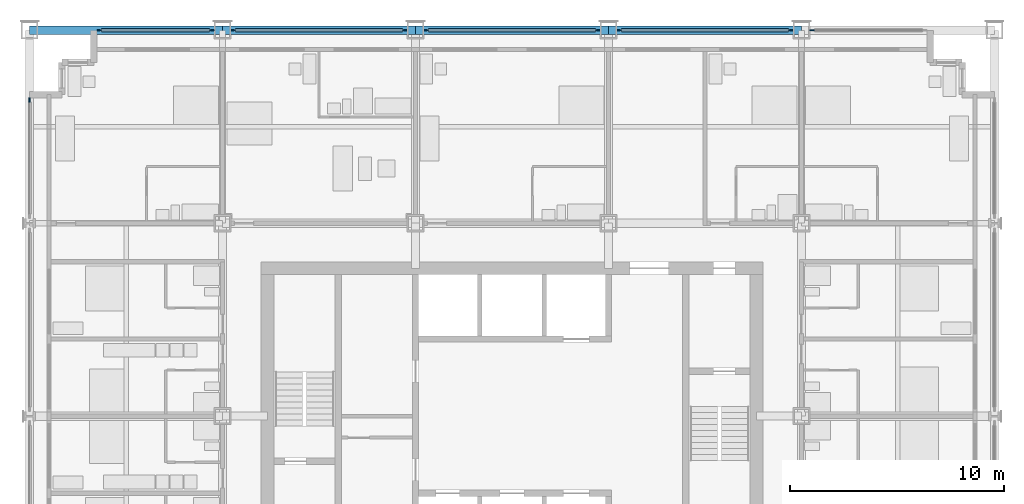
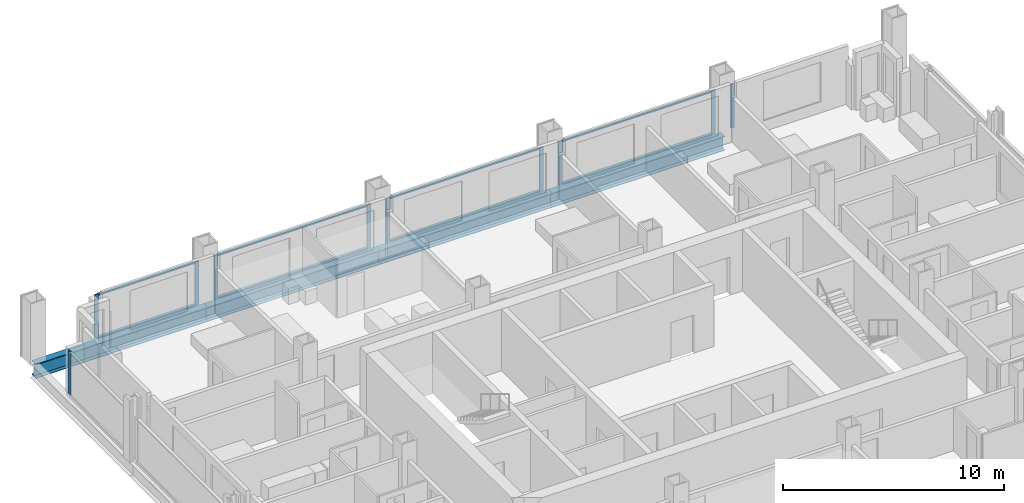
# One storey, part 6 of 16: 18 members, 4 beams, 6 elements without a shape of their own.
"""IFC4 building model written with IfcOpenShell, lengths in metres."""

from ifc_helpers import new_model, si_unit, direction, frame, origin, origin_2d, place, context, subcontext, project, spatial, rectangle, i_section, extrude, material, material_profile, profile_set, type_object, element, aggregate, save


model = new_model("IFC4")

# Units and contexts
model_context = context("Model", 3, precision=1e-05, world=origin(), true_north=direction((0.0, 1.0)))
body_context = subcontext(model_context, "Body", "Model", "MODEL_VIEW")
ifc_project = project(units=[si_unit("LENGTHUNIT", "METRE"), si_unit("AREAUNIT", "SQUARE_METRE"), si_unit("VOLUMEUNIT", "CUBIC_METRE"), si_unit("PLANEANGLEUNIT", "RADIAN"), si_unit("MASSUNIT", "GRAM", prefix="KILO")], contexts=[model_context])

# Site, building, storey
site_placement = place(None, origin())
site = spatial("IfcSite", under=ifc_project, at=site_placement, CompositionType="ELEMENT")
building_placement = place(site_placement, origin())
building = spatial("IfcBuilding", under=site, at=building_placement, Name="Loomwork Tower", CompositionType="ELEMENT")
storey_placement = place(building_placement, frame((0.0, 0.0, 107.800048828125)))
storey = spatial("IfcBuildingStorey", under=building, at=storey_placement, Name="L28", CompositionType="ELEMENT", Elevation=107.800048828125)

# Curtain wall, members
ifc_material_1 = material(Name="Aluminium curtain wall frame", Category="aluminium")
curtain_wall_type = type_object("IfcCurtainWallType", Name="Outer skin glazing hotel", PredefinedType="NOTDEFINED", material=ifc_material_1)
curtain_wall_1_placement = place(storey_placement, origin())
curtain_wall_1 = element("IfcCurtainWall", 1, at=curtain_wall_1_placement, inside=storey, type_object=curtain_wall_type, Name="Outer skin glazing hotel cw/N-0", PredefinedType="NOTDEFINED")
ifc_material_2 = material(Name="Aluminium curtain wall frame", Category="aluminium")
ifc_material_profile_1 = material_profile(ifc_material_2, rectangle(XDim=0.06494140625, YDim=0.199951171875, at=origin_2d()), Name="AL 65x200")
ifc_profile_set_1 = profile_set([ifc_material_profile_1], Name="Aluminium curtain wall frame")
member_type_1 = type_object("IfcMemberType", Name="Outer skin glazing hotel mullion", PredefinedType="MULLION", material=ifc_profile_set_1)
member_1_placement = place(storey_placement, frame((8.5, 36.0, 0.0), z_axis=(0.0, 0.0, 1.0), x_axis=(0.0, -1.0, 0.0)))
member_1 = element("IfcMember", 2, at=member_1_placement, type_object=member_type_1, Name="CW1 mullion 1", PredefinedType="MULLION", context=body_context, shape_type="SweptSolid", body=[
    extrude(rectangle(XDim=0.06494140625, YDim=0.199951171875, at=origin_2d()), origin(), (0.0, 0.0, 1.0), 2.420166015625),
])
member_2_placement = place(storey_placement, frame((3.25, 36.0, 0.0), z_axis=(0.0, 0.0, 1.0), x_axis=(0.0, -1.0, 0.0)))
member_2 = element("IfcMember", 3, at=member_2_placement, type_object=member_type_1, Name="CW1 mullion 2", PredefinedType="MULLION", context=body_context, shape_type="SweptSolid", body=[
    extrude(rectangle(XDim=0.06494140625, YDim=0.199951171875, at=origin_2d()), origin(), (0.0, 0.0, 1.0), 2.420166015625),
])

curtain_wall_2_placement = place(storey_placement, origin())
curtain_wall_2 = element("IfcCurtainWall", 4, at=curtain_wall_2_placement, inside=storey, type_object=curtain_wall_type, Name="Outer skin glazing hotel cw/N-9", PredefinedType="NOTDEFINED")
member_3_placement = place(storey_placement, frame((17.5, 36.0, 0.0), z_axis=(0.0, 0.0, 1.0), x_axis=(0.0, -1.0, 0.0)))
member_3 = element("IfcMember", 5, at=member_3_placement, type_object=member_type_1, Name="CW1 mullion 1", PredefinedType="MULLION", context=body_context, shape_type="SweptSolid", body=[
    extrude(rectangle(XDim=0.06494140625, YDim=0.199951171875, at=origin_2d()), origin(), (0.0, 0.0, 1.0), 2.420166015625),
])
member_4_placement = place(storey_placement, frame((9.5, 36.0, 0.0), z_axis=(0.0, 0.0, 1.0), x_axis=(0.0, -1.0, 0.0)))
member_4 = element("IfcMember", 6, at=member_4_placement, type_object=member_type_1, Name="CW1 mullion 2", PredefinedType="MULLION", context=body_context, shape_type="SweptSolid", body=[
    extrude(rectangle(XDim=0.06494140625, YDim=0.199951171875, at=origin_2d()), origin(), (0.0, 0.0, 1.0), 2.420166015625),
])

curtain_wall_3_placement = place(storey_placement, origin())
curtain_wall_3 = element("IfcCurtainWall", 7, at=curtain_wall_3_placement, inside=storey, type_object=curtain_wall_type, Name="Outer skin glazing hotel cw/N-18", PredefinedType="NOTDEFINED")
member_5_placement = place(storey_placement, frame((26.5, 36.0, 0.0), z_axis=(0.0, 0.0, 1.0), x_axis=(0.0, -1.0, 0.0)))
member_5 = element("IfcMember", 8, at=member_5_placement, type_object=member_type_1, Name="CW1 mullion 1", PredefinedType="MULLION", context=body_context, shape_type="SweptSolid", body=[
    extrude(rectangle(XDim=0.06494140625, YDim=0.199951171875, at=origin_2d()), origin(), (0.0, 0.0, 1.0), 2.420166015625),
])
member_6_placement = place(storey_placement, frame((18.5, 36.0, 0.0), z_axis=(0.0, 0.0, 1.0), x_axis=(0.0, -1.0, 0.0)))
member_6 = element("IfcMember", 9, at=member_6_placement, type_object=member_type_1, Name="CW1 mullion 2", PredefinedType="MULLION", context=body_context, shape_type="SweptSolid", body=[
    extrude(rectangle(XDim=0.06494140625, YDim=0.199951171875, at=origin_2d()), origin(), (0.0, 0.0, 1.0), 2.420166015625),
])

curtain_wall_4_placement = place(storey_placement, origin())
curtain_wall_4 = element("IfcCurtainWall", 10, at=curtain_wall_4_placement, inside=storey, type_object=curtain_wall_type, Name="Outer skin glazing hotel cw/N-27", PredefinedType="NOTDEFINED")
member_7_placement = place(storey_placement, frame((35.5, 36.0, 0.0), z_axis=(0.0, 0.0, 1.0), x_axis=(0.0, -1.0, 0.0)))
member_7 = element("IfcMember", 11, at=member_7_placement, type_object=member_type_1, Name="CW1 mullion 1", PredefinedType="MULLION", context=body_context, shape_type="SweptSolid", body=[
    extrude(rectangle(XDim=0.06494140625, YDim=0.199951171875, at=origin_2d()), origin(), (0.0, 0.0, 1.0), 2.420166015625),
])
member_8_placement = place(storey_placement, frame((27.5, 36.0, 0.0), z_axis=(0.0, 0.0, 1.0), x_axis=(0.0, -1.0, 0.0)))
member_8 = element("IfcMember", 12, at=member_8_placement, type_object=member_type_1, Name="CW1 mullion 2", PredefinedType="MULLION", context=body_context, shape_type="SweptSolid", body=[
    extrude(rectangle(XDim=0.06494140625, YDim=0.199951171875, at=origin_2d()), origin(), (0.0, 0.0, 1.0), 2.420166015625),
])

# Curtain wall, member
curtain_wall_5_placement = place(storey_placement, origin())
curtain_wall_5 = element("IfcCurtainWall", 13, at=curtain_wall_5_placement, inside=storey, type_object=curtain_wall_type, Name="Outer skin glazing hotel cw/N-36", PredefinedType="NOTDEFINED")
member_9_placement = place(storey_placement, frame((36.5, 36.0, 0.0), z_axis=(0.0, 0.0, 1.0), x_axis=(0.0, -1.0, 0.0)))
member_9 = element("IfcMember", 14, at=member_9_placement, type_object=member_type_1, Name="CW1 mullion 2", PredefinedType="MULLION", context=body_context, shape_type="SweptSolid", body=[
    extrude(rectangle(XDim=0.06494140625, YDim=0.199951171875, at=origin_2d()), origin(), (0.0, 0.0, 1.0), 2.420166015625),
])
aggregate(curtain_wall_5, [member_9])

curtain_wall_6_placement = place(storey_placement, origin())
curtain_wall_6 = element("IfcCurtainWall", 15, at=curtain_wall_6_placement, inside=storey, type_object=curtain_wall_type, Name="Outer skin glazing hotel cw/W-27", PredefinedType="NOTDEFINED")
member_10_placement = place(storey_placement, frame((0.0, 32.75, 0.0), z_axis=(0.0, 0.0, 1.0), x_axis=(1.0, 0.0, 0.0)))
member_10 = element("IfcMember", 16, at=member_10_placement, type_object=member_type_1, Name="CW1 mullion 1", PredefinedType="MULLION", context=body_context, shape_type="SweptSolid", body=[
    extrude(rectangle(XDim=0.06494140625, YDim=0.199951171875, at=origin_2d()), origin(), (0.0, 0.0, 1.0), 2.420166015625),
])
aggregate(curtain_wall_6, [member_10])

# Member
ifc_material_3 = material(Name="Aluminium curtain wall frame", Category="aluminium")
ifc_material_profile_2 = material_profile(ifc_material_3, rectangle(XDim=0.14990234375, YDim=0.06494140625, at=origin_2d()), Name="AL 65x150")
ifc_profile_set_2 = profile_set([ifc_material_profile_2], Name="Aluminium curtain wall frame")
member_type_2 = type_object("IfcMemberType", Name="Outer skin glazing hotel transom", PredefinedType="USERDEFINED", material=ifc_profile_set_2)
member_11_placement = place(storey_placement, frame((8.39990234375, 36.0, 0.032470703125), z_axis=(-1.0, 0.0, 0.0), x_axis=(0.0, -1.0, 0.0)))
member_11 = element("IfcMember", 17, at=member_11_placement, type_object=member_type_2, Name="CW1 transom 1.1", ObjectType="TRANSOM", PredefinedType="USERDEFINED", context=body_context, shape_type="SweptSolid", body=[
    extrude(rectangle(XDim=0.14990234375, YDim=0.06494140625, at=origin_2d()), origin(), (0.0, 0.0, 1.0), 5.0498046875),
])

member_12_placement = place(storey_placement, frame((8.39990234375, 36.0, 2.3876953125), z_axis=(-1.0, 0.0, 0.0), x_axis=(0.0, -1.0, 0.0)))
member_12 = element("IfcMember", 18, at=member_12_placement, type_object=member_type_2, Name="CW1 transom 1.2", ObjectType="TRANSOM", PredefinedType="USERDEFINED", context=body_context, shape_type="SweptSolid", body=[
    extrude(rectangle(XDim=0.14990234375, YDim=0.06494140625, at=origin_2d()), origin(), (0.0, 0.0, 1.0), 5.0498046875),
])

aggregate(curtain_wall_1, [member_1, member_2, member_11, member_12])

member_13_placement = place(storey_placement, frame((17.39990234375, 36.0, 0.032470703125), z_axis=(-1.0, 0.0, 0.0), x_axis=(0.0, -1.0, 0.0)))
member_13 = element("IfcMember", 19, at=member_13_placement, type_object=member_type_2, Name="CW1 transom 1.1", ObjectType="TRANSOM", PredefinedType="USERDEFINED", context=body_context, shape_type="SweptSolid", body=[
    extrude(rectangle(XDim=0.14990234375, YDim=0.06494140625, at=origin_2d()), origin(), (0.0, 0.0, 1.0), 7.7998046875),
])

member_14_placement = place(storey_placement, frame((17.39990234375, 36.0, 2.3876953125), z_axis=(-1.0, 0.0, 0.0), x_axis=(0.0, -1.0, 0.0)))
member_14 = element("IfcMember", 20, at=member_14_placement, type_object=member_type_2, Name="CW1 transom 1.2", ObjectType="TRANSOM", PredefinedType="USERDEFINED", context=body_context, shape_type="SweptSolid", body=[
    extrude(rectangle(XDim=0.14990234375, YDim=0.06494140625, at=origin_2d()), origin(), (0.0, 0.0, 1.0), 7.7998046875),
])

aggregate(curtain_wall_2, [member_3, member_4, member_13, member_14])

member_15_placement = place(storey_placement, frame((26.39990234375, 36.0, 0.032470703125), z_axis=(-1.0, 0.0, 0.0), x_axis=(0.0, -1.0, 0.0)))
member_15 = element("IfcMember", 21, at=member_15_placement, type_object=member_type_2, Name="CW1 transom 1.1", ObjectType="TRANSOM", PredefinedType="USERDEFINED", context=body_context, shape_type="SweptSolid", body=[
    extrude(rectangle(XDim=0.14990234375, YDim=0.06494140625, at=origin_2d()), origin(), (0.0, 0.0, 1.0), 7.7998046875),
])

member_16_placement = place(storey_placement, frame((26.39990234375, 36.0, 2.3876953125), z_axis=(-1.0, 0.0, 0.0), x_axis=(0.0, -1.0, 0.0)))
member_16 = element("IfcMember", 22, at=member_16_placement, type_object=member_type_2, Name="CW1 transom 1.2", ObjectType="TRANSOM", PredefinedType="USERDEFINED", context=body_context, shape_type="SweptSolid", body=[
    extrude(rectangle(XDim=0.14990234375, YDim=0.06494140625, at=origin_2d()), origin(), (0.0, 0.0, 1.0), 7.7998046875),
])

aggregate(curtain_wall_3, [member_5, member_6, member_15, member_16])

member_17_placement = place(storey_placement, frame((35.39990234375, 36.0, 0.032470703125), z_axis=(-1.0, 0.0, 0.0), x_axis=(0.0, -1.0, 0.0)))
member_17 = element("IfcMember", 23, at=member_17_placement, type_object=member_type_2, Name="CW1 transom 1.1", ObjectType="TRANSOM", PredefinedType="USERDEFINED", context=body_context, shape_type="SweptSolid", body=[
    extrude(rectangle(XDim=0.14990234375, YDim=0.06494140625, at=origin_2d()), origin(), (0.0, 0.0, 1.0), 7.7998046875),
])

member_18_placement = place(storey_placement, frame((35.39990234375, 36.0, 2.3876953125), z_axis=(-1.0, 0.0, 0.0), x_axis=(0.0, -1.0, 0.0)))
member_18 = element("IfcMember", 24, at=member_18_placement, type_object=member_type_2, Name="CW1 transom 1.2", ObjectType="TRANSOM", PredefinedType="USERDEFINED", context=body_context, shape_type="SweptSolid", body=[
    extrude(rectangle(XDim=0.14990234375, YDim=0.06494140625, at=origin_2d()), origin(), (0.0, 0.0, 1.0), 7.7998046875),
])

aggregate(curtain_wall_4, [member_7, member_8, member_17, member_18])

# Beams
ifc_material_4 = material(Name="Steel ASTM A992", Category="steel")
ifc_material_profile_3 = material_profile(ifc_material_4, i_section(OverallWidth=0.381103515625, OverallDepth=0.77978515625, WebThickness=0.01806640625, FlangeThickness=0.0302734375, at=origin_2d()), Name="W30x191")
ifc_profile_set_3 = profile_set([ifc_material_profile_3], Name="Steel ASTM A992")
beam_type = type_object("IfcBeamType", Name="SPANDREL GIRDER W30x191", PredefinedType="SPANDREL", material=ifc_profile_set_3)
for number, where, z_axis, x_axis, name in (
    (25, (0.0, 36.0, -0.58984375), (1.0, 0.0, 0.0), (0.0, 1.0, 0.0), "Spandrel Girder H/2-H/3 L28"),
    (26, (9.0, 36.0, -0.58984375), (1.0, 0.0, 0.0), (0.0, 1.0, 0.0), "Spandrel Girder H/3-H/4 L28"),
    (27, (18.0, 36.0, -0.58984375), (1.0, 0.0, 0.0), (0.0, 1.0, 0.0), "Spandrel Girder H/4-H/5 L28"),
    (28, (27.0, 36.0, -0.58984375), (1.0, 0.0, 0.0), (0.0, 1.0, 0.0), "Spandrel Girder H/5-H/6 L28"),
):
    element("IfcBeam", number, at=place(storey_placement, frame(where, z_axis=z_axis, x_axis=x_axis)), inside=storey, type_object=beam_type, Name=name, PredefinedType="SPANDREL", context=body_context, shape_type="SweptSolid", body=[
        extrude(i_section(OverallWidth=0.381103515625, OverallDepth=0.77978515625, WebThickness=0.01806640625, FlangeThickness=0.0302734375, at=origin_2d()), origin(), (0.0, 0.0, 1.0), 9.0),
    ])

save(model, "model.ifc")
